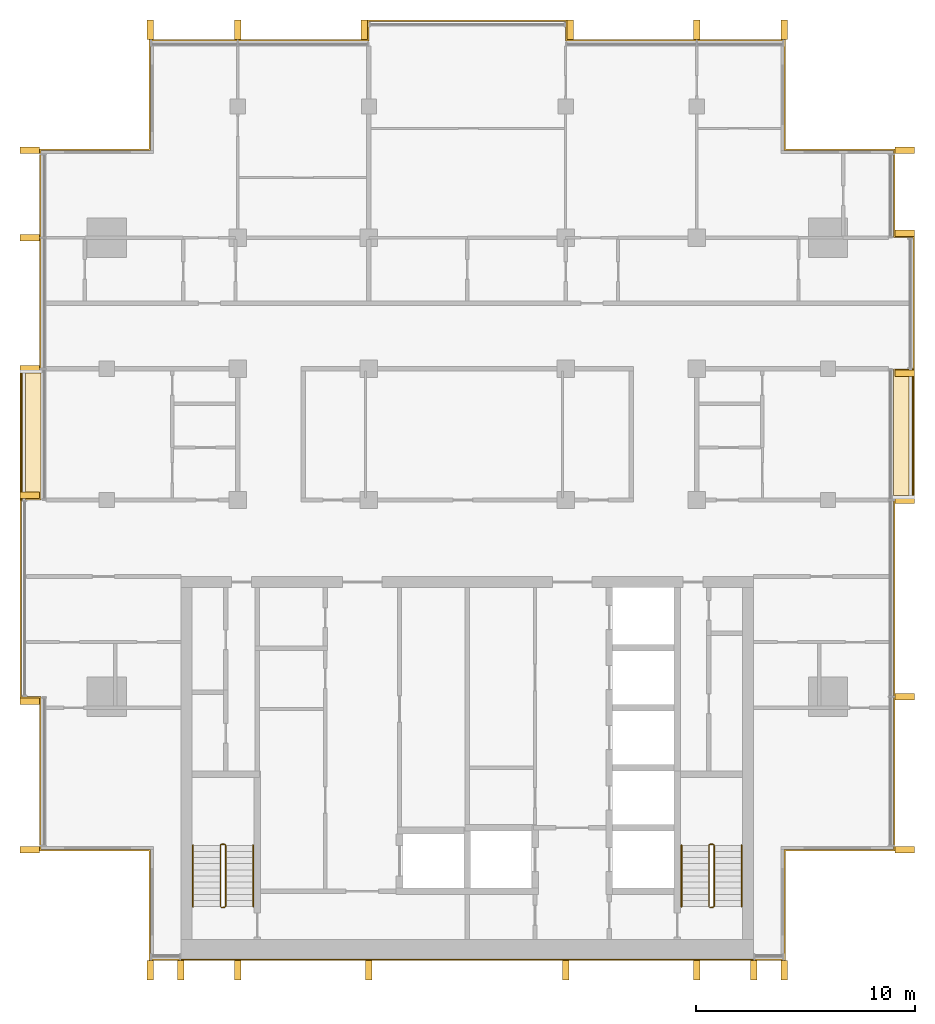
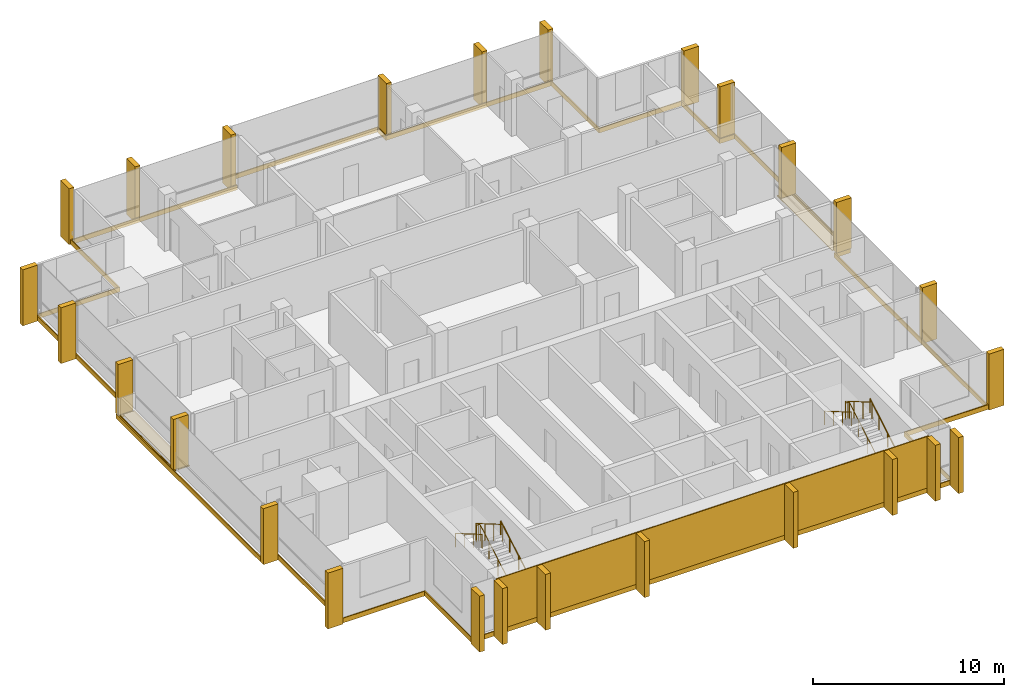
# One storey, part 16 of 16: 26 shading devices, 10 coverings, 6 railings.
"""IFC4 building model written with IfcOpenShell, lengths in metres."""

import ifcopenshell
import ifcopenshell.guid

model = None  # the IFC model being written
_history = None  # IfcOwnerHistory: only IFC2X3 demands one
_inside = {}  # id of a spatial element -> (the spatial element, [elements in it])
_under = {}  # id of a project, library or spatial element -> (it, [spatial elements below it])
_declared = {}  # id of a project -> (the project, [libraries it declares])
_typed = {}  # id of a type object -> (the type object, [elements of that type])
_made_of = {}  # id of a material, layer set ... -> (it, [elements and type objects made of it])


def new_model(schema):
    """Start an empty IFC model of exactly this schema.

    Asked for "IFC4X3", IfcOpenShell would pick the latest addendum, in which some entities
    have other attributes; the version numbers below select the first issue.
    IFC2X3 requires an IfcOwnerHistory on every rooted entity: one is made here for all.
    """
    global model, _history
    if schema == "IFC4X3":
        model = ifcopenshell.file(schema_version=(4, 3, 0, 0))
    else:
        model = ifcopenshell.file(schema=schema)
    _inside.clear()
    _under.clear()
    _declared.clear()
    _typed.clear()
    _made_of.clear()
    _history = None
    if model.schema == "IFC2X3":
        org = make("IfcOrganization", Name="unknown")
        user = make(
            "IfcPersonAndOrganization",
            ThePerson=make("IfcPerson", FamilyName="unknown"),
            TheOrganization=org,
        )
        app = make(
            "IfcApplication",
            ApplicationDeveloper=org,
            Version="unknown",
            ApplicationFullName="unknown",
            ApplicationIdentifier="unknown",
        )
        _history = make(
            "IfcOwnerHistory",
            OwningUser=user,
            OwningApplication=app,
            ChangeAction="ADDED",
            CreationDate=0,
        )
    return model


def make(cls, **values):
    """One entity of the class cls with the attributes given. An attribute that is None is left unset."""
    return model.create_entity(
        cls, **{name: value for name, value in values.items() if value is not None}
    )


def rooted(cls, **values):
    """An entity with a GlobalId (a new one), such as an element, a storey or a relation."""
    return make(cls, GlobalId=ifcopenshell.guid.new(), OwnerHistory=_history, **values)


def si_unit(unit_type, name, prefix=None):
    """IfcSIUnit, for example si_unit("LENGTHUNIT", "METRE", prefix="MILLI")."""
    return make("IfcSIUnit", UnitType=unit_type, Prefix=prefix, Name=name)


def assignment(units):
    """IfcUnitAssignment: the units of a project."""
    return None if units is None else make("IfcUnitAssignment", Units=units)


def point(xyz):
    """IfcCartesianPoint."""
    return None if xyz is None else make("IfcCartesianPoint", Coordinates=xyz)


def direction(xyz):
    """IfcDirection."""
    return None if xyz is None else make("IfcDirection", DirectionRatios=xyz)


def frame(location, z_axis=None, x_axis=None):
    """IfcAxis2Placement3D, a coordinate frame: its origin and axes. An axis left out is left unset."""
    return make(
        "IfcAxis2Placement3D",
        Location=point(location),
        Axis=direction(z_axis),
        RefDirection=direction(x_axis),
    )


def frame_2d(location, x_axis=None):
    """IfcAxis2Placement2D, a coordinate frame in the plane: its origin and x axis."""
    return make(
        "IfcAxis2Placement2D", Location=point(location), RefDirection=direction(x_axis)
    )


def origin():
    """The frame at (0, 0, 0) with its axes left unset."""
    return frame((0.0, 0.0, 0.0))


def origin_2d():
    """The frame at (0, 0) in the plane with its x axis left unset."""
    return frame_2d((0.0, 0.0))


def place(relative_to, where):
    """IfcLocalPlacement: puts the frame where relative to a parent placement (None: the world)."""
    return make(
        "IfcLocalPlacement", PlacementRelTo=relative_to, RelativePlacement=where
    )


def context(
    kind, dimensions, precision=None, world=None, true_north=None, identifier=None
):
    """IfcGeometricRepresentationContext, for example the 3D "Model" context."""
    return make(
        "IfcGeometricRepresentationContext",
        ContextIdentifier=identifier,
        ContextType=kind,
        CoordinateSpaceDimension=dimensions,
        Precision=precision,
        WorldCoordinateSystem=world,
        TrueNorth=true_north,
    )


def subcontext(parent, identifier, kind, view, scale=None):
    """IfcGeometricRepresentationSubContext, for example "Body" below "Model"."""
    return make(
        "IfcGeometricRepresentationSubContext",
        ContextIdentifier=identifier,
        ContextType=kind,
        ParentContext=parent,
        TargetScale=scale,
        TargetView=view,
    )


def project(units=None, contexts=None):
    """IfcProject with its units and contexts."""
    return rooted(
        "IfcProject",
        Name="project",
        RepresentationContexts=contexts,
        UnitsInContext=assignment(units),
    )


def spatial(cls, under=None, at=None, **own):
    """A site, building, storey or space (cls), placed at a placement, below another one or the project."""
    s = rooted(cls, ObjectPlacement=at, **own)
    if under is not None:
        _under.setdefault(under.id(), (under, []))[1].append(s)
    return s


def polyline(points):
    """IfcPolyline through the points."""
    return make("IfcPolyline", Points=[point(p) for p in points])


def profile(cls, at=None, kind="AREA", **sizes):
    """A parametric profile (cls). Its sizes go by their IFC names, for example OverallWidth=200.0."""
    return make(cls, ProfileType=kind, Position=at, **sizes)


def rectangle(**sizes):
    """IfcRectangleProfileDef."""
    return profile("IfcRectangleProfileDef", **sizes)


def circle(**sizes):
    """IfcCircleProfileDef."""
    return profile("IfcCircleProfileDef", **sizes)


def outline(outer, holes=None, kind="AREA"):
    """IfcArbitraryClosedProfileDef: a profile drawn as a closed curve; with holes, ...WithVoids."""
    if holes is None:
        return make("IfcArbitraryClosedProfileDef", ProfileType=kind, OuterCurve=outer)
    return make(
        "IfcArbitraryProfileDefWithVoids",
        ProfileType=kind,
        OuterCurve=outer,
        InnerCurves=holes,
    )


def extrude(swept, where, along, depth):
    """IfcExtrudedAreaSolid: the profile swept, set in the frame where, extruded along a direction by depth."""
    return make(
        "IfcExtrudedAreaSolid",
        SweptArea=swept,
        Position=where,
        ExtrudedDirection=direction(along),
        Depth=depth,
    )


def shape(context_of_items, identifier, shape_type, items):
    """IfcShapeRepresentation: the items that make up one representation, for example the "Body"."""
    return make(
        "IfcShapeRepresentation",
        ContextOfItems=context_of_items,
        RepresentationIdentifier=identifier,
        RepresentationType=shape_type,
        Items=items,
    )


def material(Name=None, Category=None):
    """IfcMaterial."""
    return make("IfcMaterial", Name=Name, Category=Category)


def layer(
    of_material, thickness, ventilated=None, Name=None, Category=None, Priority=None
):
    """IfcMaterialLayer: one layer of a wall or slab, of a material (None: an air gap)."""
    return make(
        "IfcMaterialLayer",
        Material=of_material,
        LayerThickness=thickness,
        IsVentilated=ventilated,
        Name=Name,
        Category=Category,
        Priority=Priority,
    )


def layer_set(layers, Name=None):
    """IfcMaterialLayerSet."""
    return make("IfcMaterialLayerSet", MaterialLayers=layers, LayerSetName=Name)


def made_of(thing, what):
    """Note that an element or type object is made of a material, layer set ...; save() writes the relation."""
    if what is not None:
        _made_of.setdefault(what.id(), (what, []))[1].append(thing)
    return thing


def type_object(cls, material=None, **own):
    """A type object (cls), such as IfcWallType, which elements share."""
    return made_of(rooted(cls, **own), material)


def element(
    cls,
    number,
    at=None,
    inside=None,
    cuts=None,
    type_object=None,
    material=None,
    context=None,
    identifier="Body",
    shape_type=None,
    held_by="IfcProductDefinitionShape",
    body=None,
    shapes=None,
    **own,
):
    """One element of the class cls, such as IfcWall. Its Tag is "e" and its number.

    at: its placement. inside: the storey or other place that contains it. cuts: it is an
    opening in that element (IfcRelVoidsElement). A single representation is given by context,
    identifier, shape_type and body (its items); several are given by shapes. held_by: the class
    of the entity that holds the representations. save() writes the other relations.
    """
    e = rooted(cls, Tag="e%d" % number, ObjectPlacement=at, **own)
    if body is not None:
        shapes = [shape(context, identifier, shape_type, body)]
    if shapes is not None:
        e.Representation = make(held_by, Representations=shapes)
    if inside is not None:
        _inside.setdefault(inside.id(), (inside, []))[1].append(e)
    if cuts is not None:
        rooted(
            "IfcRelVoidsElement", RelatingBuildingElement=cuts, RelatedOpeningElement=e
        )
    if type_object is not None:
        _typed.setdefault(type_object.id(), (type_object, []))[1].append(e)
    return made_of(e, material)


def aggregate(whole, parts):
    """IfcRelAggregates: a whole, such as a stair, and the parts it consists of."""
    return rooted("IfcRelAggregates", RelatingObject=whole, RelatedObjects=parts)


def save(model, path):
    """Write the relations noted so far, then the file.

    IfcRelAggregates (storeys below a building ...), IfcRelContainedInSpatialStructure (elements
    in a storey), IfcRelDefinesByType, IfcRelAssociatesMaterial and IfcRelDeclares: one each for
    every whole, place, type object, material and project.
    """
    for whole, parts in _under.values():
        aggregate(whole, parts)
    for where, things in _inside.values():
        rooted(
            "IfcRelContainedInSpatialStructure",
            RelatedElements=things,
            RelatingStructure=where,
        )
    for kind, things in _typed.values():
        rooted("IfcRelDefinesByType", RelatedObjects=things, RelatingType=kind)
    for what, things in _made_of.values():
        rooted("IfcRelAssociatesMaterial", RelatedObjects=things, RelatingMaterial=what)
    for by, libraries in _declared.values():
        rooted("IfcRelDeclares", RelatingContext=by, RelatedDefinitions=libraries)
    model.write(path)


model = new_model("IFC4")

# Units and contexts
model_context = context("Model", 3, precision=1e-05, world=origin(), true_north=direction((0.0, 1.0)))
body_context = subcontext(model_context, "Body", "Model", "MODEL_VIEW")
ifc_project = project(units=[si_unit("LENGTHUNIT", "METRE"), si_unit("AREAUNIT", "SQUARE_METRE"), si_unit("VOLUMEUNIT", "CUBIC_METRE"), si_unit("PLANEANGLEUNIT", "RADIAN"), si_unit("MASSUNIT", "GRAM", prefix="KILO")], contexts=[model_context])

# Site, building, storey
site_placement = place(None, origin())
site = spatial("IfcSite", under=ifc_project, at=site_placement, CompositionType="ELEMENT")
building_placement = place(site_placement, origin())
building = spatial("IfcBuilding", under=site, at=building_placement, Name="Finial Court Residences", CompositionType="ELEMENT")
storey_placement = place(building_placement, frame((0.0, 0.0, 287.89990234375)))
storey = spatial("IfcBuildingStorey", under=building, at=storey_placement, Name="L73", CompositionType="ELEMENT", Elevation=287.89990234375)

# Coverings
ifc_material_1 = material(Name="Natural limestone", Category="masonry")
ifc_layer_1 = layer(ifc_material_1, 0.06005859375)
ifc_layer_set_1 = layer_set([ifc_layer_1], Name="Limestone cladding to the blind core face 60")
covering_type_1 = type_object("IfcCoveringType", Name="Limestone cladding to the blind core face 60", PredefinedType="CLADDING", material=ifc_layer_set_1)
covering_1_placement = place(storey_placement, origin())
element("IfcCovering", 1, at=covering_1_placement, inside=storey, type_object=covering_type_1, Name="E-L73-CLAD1", PredefinedType="CLADDING", context=body_context, shape_type="SweptSolid", body=[
    extrude(outline(polyline([(-10.5, -25.56005859375), (-10.5, -25.5), (-13.10009765625, -25.5), (-13.10009765625, -25.56005859375), (-10.5, -25.56005859375)])), origin(), (0.0, 0.0, 1.0), 3.300048828125),
])
covering_2_placement = place(storey_placement, origin())
element("IfcCovering", 2, at=covering_2_placement, inside=storey, type_object=covering_type_1, Name="E-L73-CLAD2", PredefinedType="CLADDING", context=body_context, shape_type="SweptSolid", body=[
    extrude(outline(polyline([(-4.5, -25.56005859375), (-4.5, -25.5), (-10.5, -25.5), (-10.5, -25.56005859375), (-4.5, -25.56005859375)])), origin(), (0.0, 0.0, 1.0), 3.300048828125),
])
covering_3_placement = place(storey_placement, origin())
element("IfcCovering", 3, at=covering_3_placement, inside=storey, type_object=covering_type_1, Name="E-L73-CLAD3", PredefinedType="CLADDING", context=body_context, shape_type="SweptSolid", body=[
    extrude(outline(polyline([(4.5, -25.56005859375), (4.5, -25.5), (-4.5, -25.5), (-4.5, -25.56005859375), (4.5, -25.56005859375)])), origin(), (0.0, 0.0, 1.0), 3.300048828125),
])
covering_4_placement = place(storey_placement, origin())
element("IfcCovering", 4, at=covering_4_placement, inside=storey, type_object=covering_type_1, Name="E-L73-CLAD4", PredefinedType="CLADDING", context=body_context, shape_type="SweptSolid", body=[
    extrude(outline(polyline([(10.5, -25.56005859375), (10.5, -25.5), (4.5, -25.5), (4.5, -25.56005859375), (10.5, -25.56005859375)])), origin(), (0.0, 0.0, 1.0), 3.300048828125),
])
covering_5_placement = place(storey_placement, origin())
element("IfcCovering", 5, at=covering_5_placement, inside=storey, type_object=covering_type_1, Name="E-L73-CLAD5", PredefinedType="CLADDING", context=body_context, shape_type="SweptSolid", body=[
    extrude(outline(polyline([(13.10009765625, -25.56005859375), (13.10009765625, -25.5), (10.5, -25.5), (10.5, -25.56005859375), (13.10009765625, -25.56005859375)])), origin(), (0.0, 0.0, 1.0), 3.300048828125),
])

# Shading devices
shading_device_type = type_object("IfcShadingDeviceType", Name="Limestone fin 300 x 900", PredefinedType="USERDEFINED", material=ifc_material_1)
for number, where, z_axis, x_axis, name in (
    (6, (-14.5, 17.010009765625, -0.300048828125), (0.0, 0.0, 1.0), (1.0, 0.0, 0.0), "E-L73-FIN-N1"),
    (7, (-10.5, 17.010009765625, -0.300048828125), (0.0, 0.0, 1.0), (1.0, 0.0, 0.0), "E-L73-FIN-N2"),
    (8, (-4.7099609375, 17.010009765625, -0.300048828125), (0.0, 0.0, 1.0), (1.0, 0.0, 0.0), "E-L73-FIN-N3"),
    (9, (4.7099609375, 17.010009765625, -0.300048828125), (0.0, 0.0, 1.0), (1.0, 0.0, 0.0), "E-L73-FIN-N4"),
    (10, (10.5, 17.010009765625, -0.300048828125), (0.0, 0.0, 1.0), (1.0, 0.0, 0.0), "E-L73-FIN-N5"),
    (11, (14.5, 17.010009765625, -0.300048828125), (0.0, 0.0, 1.0), (1.0, 0.0, 0.0), "E-L73-FIN-N6"),
):
    element("IfcShadingDevice", number, at=place(storey_placement, frame(where, z_axis=z_axis, x_axis=x_axis)), inside=storey, type_object=shading_device_type, Name=name, ObjectType="FIN", PredefinedType="USERDEFINED", context=body_context, shape_type="SweptSolid", body=[
        extrude(rectangle(XDim=0.300048828125, YDim=0.89990234375, at=origin_2d()), origin(), (0.0, 0.0, 1.0), 3.580078125),
    ])
for number, where, z_axis, x_axis, name in (
    (12, (20.010009765625, -20.5, -0.300048828125), (0.0, 0.0, 1.0), (1.0, 0.0, 0.0), "E-L73-FIN-E7"),
    (13, (20.010009765625, -13.5, -0.300048828125), (0.0, 0.0, 1.0), (1.0, 0.0, 0.0), "E-L73-FIN-E8"),
):
    element("IfcShadingDevice", number, at=place(storey_placement, frame(where, z_axis=z_axis, x_axis=x_axis)), inside=storey, type_object=shading_device_type, Name=name, ObjectType="FIN", PredefinedType="USERDEFINED", context=body_context, shape_type="SweptSolid", body=[
        extrude(rectangle(XDim=0.89990234375, YDim=0.300048828125, at=origin_2d()), origin(), (0.0, 0.0, 1.0), 3.580078125),
    ])
for number, where, z_axis, x_axis, name in (
    (14, (20.010009765625, -4.5, 0.0400390625), (0.0, 0.0, 1.0), (1.0, 0.0, 0.0), "E-L73-FIN-E9"),
    (15, (20.010009765625, 1.2900390625, 0.0400390625), (0.0, 0.0, 1.0), (1.0, 0.0, 0.0), "E-L73-FIN-E10"),
):
    element("IfcShadingDevice", number, at=place(storey_placement, frame(where, z_axis=z_axis, x_axis=x_axis)), inside=storey, type_object=shading_device_type, Name=name, ObjectType="FIN", PredefinedType="USERDEFINED", context=body_context, shape_type="SweptSolid", body=[
        extrude(rectangle(XDim=0.89990234375, YDim=0.300048828125, at=origin_2d()), origin(), (0.0, 0.0, 1.0), 3.239990234375),
    ])
for number, where, z_axis, x_axis, name in (
    (16, (20.010009765625, 7.7099609375, -0.300048828125), (0.0, 0.0, 1.0), (1.0, 0.0, 0.0), "E-L73-FIN-E11"),
    (17, (20.010009765625, 11.5, -0.300048828125), (0.0, 0.0, 1.0), (1.0, 0.0, 0.0), "E-L73-FIN-E12"),
):
    element("IfcShadingDevice", number, at=place(storey_placement, frame(where, z_axis=z_axis, x_axis=x_axis)), inside=storey, type_object=shading_device_type, Name=name, ObjectType="FIN", PredefinedType="USERDEFINED", context=body_context, shape_type="SweptSolid", body=[
        extrude(rectangle(XDim=0.89990234375, YDim=0.300048828125, at=origin_2d()), origin(), (0.0, 0.0, 1.0), 3.580078125),
    ])
for number, where, z_axis, x_axis, name in (
    (18, (-14.5, -26.010009765625, -0.300048828125), (0.0, 0.0, 1.0), (1.0, 0.0, 0.0), "E-L73-FIN-S13"),
    (19, (-13.10009765625, -26.010009765625, -0.300048828125), (0.0, 0.0, 1.0), (1.0, 0.0, 0.0), "E-L73-FIN-S14"),
    (20, (-10.5, -26.010009765625, -0.300048828125), (0.0, 0.0, 1.0), (1.0, 0.0, 0.0), "E-L73-FIN-S15"),
    (21, (-4.5, -26.010009765625, -0.300048828125), (0.0, 0.0, 1.0), (1.0, 0.0, 0.0), "E-L73-FIN-S16"),
    (22, (4.5, -26.010009765625, -0.300048828125), (0.0, 0.0, 1.0), (1.0, 0.0, 0.0), "E-L73-FIN-S17"),
    (23, (10.5, -26.010009765625, -0.300048828125), (0.0, 0.0, 1.0), (1.0, 0.0, 0.0), "E-L73-FIN-S18"),
    (24, (13.10009765625, -26.010009765625, -0.300048828125), (0.0, 0.0, 1.0), (1.0, 0.0, 0.0), "E-L73-FIN-S19"),
    (25, (14.5, -26.010009765625, -0.300048828125), (0.0, 0.0, 1.0), (1.0, 0.0, 0.0), "E-L73-FIN-S20"),
):
    element("IfcShadingDevice", number, at=place(storey_placement, frame(where, z_axis=z_axis, x_axis=x_axis)), inside=storey, type_object=shading_device_type, Name=name, ObjectType="FIN", PredefinedType="USERDEFINED", context=body_context, shape_type="SweptSolid", body=[
        extrude(rectangle(XDim=0.300048828125, YDim=0.89990234375, at=origin_2d()), origin(), (0.0, 0.0, 1.0), 3.580078125),
    ])
for number, where, z_axis, x_axis, name in (
    (26, (-20.010009765625, -20.5, -0.300048828125), (0.0, 0.0, 1.0), (1.0, 0.0, 0.0), "E-L73-FIN-W21"),
    (27, (-20.010009765625, -13.7099609375, -0.300048828125), (0.0, 0.0, 1.0), (1.0, 0.0, 0.0), "E-L73-FIN-W22"),
):
    element("IfcShadingDevice", number, at=place(storey_placement, frame(where, z_axis=z_axis, x_axis=x_axis)), inside=storey, type_object=shading_device_type, Name=name, ObjectType="FIN", PredefinedType="USERDEFINED", context=body_context, shape_type="SweptSolid", body=[
        extrude(rectangle(XDim=0.89990234375, YDim=0.300048828125, at=origin_2d()), origin(), (0.0, 0.0, 1.0), 3.580078125),
    ])
for number, where, z_axis, x_axis, name in (
    (28, (-20.010009765625, -4.2900390625, 0.0400390625), (0.0, 0.0, 1.0), (1.0, 0.0, 0.0), "E-L73-FIN-W23"),
    (29, (-20.010009765625, 1.5, 0.0400390625), (0.0, 0.0, 1.0), (1.0, 0.0, 0.0), "E-L73-FIN-W24"),
):
    element("IfcShadingDevice", number, at=place(storey_placement, frame(where, z_axis=z_axis, x_axis=x_axis)), inside=storey, type_object=shading_device_type, Name=name, ObjectType="FIN", PredefinedType="USERDEFINED", context=body_context, shape_type="SweptSolid", body=[
        extrude(rectangle(XDim=0.89990234375, YDim=0.300048828125, at=origin_2d()), origin(), (0.0, 0.0, 1.0), 3.239990234375),
    ])
for number, where, z_axis, x_axis, name in (
    (30, (-20.010009765625, 7.5, -0.300048828125), (0.0, 0.0, 1.0), (1.0, 0.0, 0.0), "E-L73-FIN-W25"),
    (31, (-20.010009765625, 11.5, -0.300048828125), (0.0, 0.0, 1.0), (1.0, 0.0, 0.0), "E-L73-FIN-W26"),
):
    element("IfcShadingDevice", number, at=place(storey_placement, frame(where, z_axis=z_axis, x_axis=x_axis)), inside=storey, type_object=shading_device_type, Name=name, ObjectType="FIN", PredefinedType="USERDEFINED", context=body_context, shape_type="SweptSolid", body=[
        extrude(rectangle(XDim=0.89990234375, YDim=0.300048828125, at=origin_2d()), origin(), (0.0, 0.0, 1.0), 3.580078125),
    ])

# Coverings
ifc_material_2 = material(Name="Pale limestone", Category="masonry")
ifc_layer_2 = layer(ifc_material_2, 0.06005859375)
ifc_layer_set_2 = layer_set([ifc_layer_2], Name="Pale limestone slab-edge band 60")
covering_type_2 = type_object("IfcCoveringType", Name="Pale limestone slab-edge band 60", PredefinedType="CLADDING", material=ifc_layer_set_2)
covering_6_placement = place(storey_placement, frame((0.0, 0.0, -0.2998046875)))
element("IfcCovering", 32, at=covering_6_placement, inside=storey, type_object=covering_type_2, Name="E-L73-BAND1", PredefinedType="CLADDING", context=body_context, shape_type="SweptSolid", body=[
    extrude(outline(polyline([(-14.56005859375, 11.56005859375), (-14.56005859375, 16.56005859375), (-4.56005859375, 16.56005859375), (-4.56005859375, 17.4599609375), (4.56005859375, 17.4599609375), (4.56005859375, 16.56005859375), (14.56005859375, 16.56005859375), (14.56005859375, 11.56005859375), (19.56005859375, 11.56005859375), (19.56005859375, 7.56005859375), (20.4599609375, 7.56005859375), (20.4599609375, -4.56005859375), (19.56005859375, -4.56005859375), (19.56005859375, -20.56005859375), (14.56005859375, -20.56005859375), (14.56005859375, -25.56005859375), (-14.56005859375, -25.56005859375), (-14.56005859375, -20.56005859375), (-19.56005859375, -20.56005859375), (-19.56005859375, -13.56005859375), (-20.4599609375, -13.56005859375), (-20.4599609375, 1.56005859375), (-19.56005859375, 1.56005859375), (-19.56005859375, 11.56005859375), (-14.56005859375, 11.56005859375)]), holes=[polyline([(-19.5, 1.5), (-20.39990234375, 1.5), (-20.39990234375, -4.5), (-20.39990234375, -13.5), (-19.5, -13.5), (-19.5, -20.5), (-14.5, -20.5), (-14.5, -25.5), (14.5, -25.5), (14.5, -20.5), (19.5, -20.5), (19.5, -4.5), (20.39990234375, -4.5), (20.39990234375, 1.5), (20.39990234375, 7.5), (19.5, 7.5), (19.5, 11.5), (14.5, 11.5), (14.5, 16.5), (4.5, 16.5), (4.5, 17.39990234375), (-4.5, 17.39990234375), (-4.5, 16.5), (-14.5, 16.5), (-14.5, 11.5), (-19.5, 11.5), (-19.5, 1.5)])]), origin(), (0.0, 0.0, 1.0), 0.2998046875),
])
ifc_material_3 = material(Name="Bitumen membrane")
ifc_layer_3 = layer(ifc_material_3, 0.0400390625)
ifc_layer_set_3 = layer_set([ifc_layer_3], Name="Push box roofing, bitumen membrane 40")
covering_type_3 = type_object("IfcCoveringType", Name="Push box roofing, bitumen membrane 40", PredefinedType="ROOFING", material=ifc_layer_set_3)
covering_7_placement = place(storey_placement, origin())
element("IfcCovering", 33, at=covering_7_placement, inside=storey, type_object=covering_type_3, Name="E-L73-LED1c", PredefinedType="ROOFING", context=body_context, shape_type="SweptSolid", body=[
    extrude(outline(polyline([(-19.5, -4.5), (-20.199951171875, -4.5), (-20.199951171875, 1.300048828125), (-19.5, 1.300048828125), (-19.5, -4.5)])), origin(), (0.0, 0.0, 1.0), 0.0400390625),
])
covering_8_placement = place(storey_placement, origin())
element("IfcCovering", 34, at=covering_8_placement, inside=storey, type_object=covering_type_3, Name="E-L73-LED1d", PredefinedType="ROOFING", context=body_context, shape_type="SweptSolid", body=[
    extrude(outline(polyline([(-20.39990234375, -4.5), (-20.39990234375, 1.300048828125), (-20.35009765625, 1.300048828125), (-20.35009765625, -4.5), (-20.39990234375, -4.5)])), origin(), (0.0, 0.0, 1.0), 0.0400390625),
])
covering_9_placement = place(storey_placement, origin())
element("IfcCovering", 35, at=covering_9_placement, inside=storey, type_object=covering_type_3, Name="E-L73-LED2c", PredefinedType="ROOFING", context=body_context, shape_type="SweptSolid", body=[
    extrude(outline(polyline([(19.5, 1.5), (20.199951171875, 1.5), (20.199951171875, -4.300048828125), (19.5, -4.300048828125), (19.5, 1.5)])), origin(), (0.0, 0.0, 1.0), 0.0400390625),
])
covering_10_placement = place(storey_placement, origin())
element("IfcCovering", 36, at=covering_10_placement, inside=storey, type_object=covering_type_3, Name="E-L73-LED2d", PredefinedType="ROOFING", context=body_context, shape_type="SweptSolid", body=[
    extrude(outline(polyline([(20.39990234375, 1.5), (20.39990234375, -4.300048828125), (20.35009765625, -4.300048828125), (20.35009765625, 1.5), (20.39990234375, 1.5)])), origin(), (0.0, 0.0, 1.0), 0.0400390625),
])

# Railings
ifc_material_4 = material(Name="Stainless steel railing", Category="steel")
railing_type_1 = type_object("IfcRailingType", Name="Stair guard 1100", PredefinedType="GUARDRAIL", material=ifc_material_4)
railing_1_placement = place(storey_placement, frame((-11.10009765625, -23.14990234375, 0.0)))
element("IfcRailing", 37, at=railing_1_placement, inside=storey, type_object=railing_type_1, Name="L73 ST-1 stair guard 1", PredefinedType="GUARDRAIL", context=body_context, shape_type="SweptSolid", body=[
    extrude(circle(Radius=0.02392578125, at=origin_2d()), frame((0.0, 0.0, 1.076171875), z_axis=(-1.0, 0.0, 0.0), x_axis=(0.0, -1.0, 0.0)), (0.0, 0.0, 1.0), 0.14990234375),
    extrude(circle(Radius=0.02392578125, at=origin_2d()), frame((-0.14990234375, 0.0, 1.076171875), z_axis=(0.759565762229, 0.189195867515, 0.622306015208), x_axis=(-0.241699205484, 0.970351222016, 0.0)), (0.0, 0.0, 1.0), 0.26318359375),
    extrude(circle(Radius=0.02392578125, at=origin_2d()), frame((0.050048828125, 0.0498046875, 1.23974609375), z_axis=(0.0, 0.863393664356, 0.504530851732), x_axis=(-1.0, 0.0, 0.0)), (0.0, 0.0, 1.0), 3.2431640625),
    extrude(circle(Radius=0.02392578125, at=origin_2d()), frame((0.050048828125, 2.849853515625, 2.8759765625), z_axis=(-0.707106781187, 0.707106781187, 0.0), x_axis=(-0.707106781187, -0.707106781187, 0.0)), (0.0, 0.0, 1.0), 0.07080078125),
    extrude(circle(Radius=0.02392578125, at=origin_2d()), frame((0.0, 2.89990234375, 2.8759765625), z_axis=(-1.0, 0.0, 0.0), x_axis=(0.0, -1.0, 0.0)), (0.0, 0.0, 1.0), 0.14990234375),
    extrude(circle(Radius=0.02392578125, at=origin_2d()), frame((-0.14990234375, 2.89990234375, 2.8759765625), z_axis=(-0.280808744504, -0.280808744504, 0.917765164963), x_axis=(0.707106781187, -0.707106781187, 0.0)), (0.0, 0.0, 1.0), 0.17822265625),
    extrude(circle(Radius=0.02392578125, at=origin_2d()), frame((-0.199951171875, 2.849853515625, 3.03955078125), z_axis=(0.0, -0.863360870873, 0.504586966384), x_axis=(1.0, 0.0, 0.0)), (0.0, 0.0, 1.0), 3.2431640625),
    extrude(circle(Radius=0.02099609375, at=origin_2d()), origin(), (0.0, 0.0, 1.0), 1.052001953125),
    extrude(circle(Radius=0.02099609375, at=origin_2d()), frame((-0.14990234375, 0.0, 0.0)), (0.0, 0.0, 1.0), 1.052001953125),
    extrude(circle(Radius=0.02099609375, at=origin_2d()), frame((0.050048828125, 0.0498046875, 0.163818359375)), (0.0, 0.0, 1.0), 1.052001953125),
    extrude(circle(Radius=0.02099609375, at=origin_2d()), frame((0.050048828125, 0.983154296875, 0.709228515625)), (0.0, 0.0, 1.0), 1.052001953125),
    extrude(circle(Radius=0.02099609375, at=origin_2d()), frame((0.050048828125, 1.91650390625, 1.254638671875)), (0.0, 0.0, 1.0), 1.052001953125),
    extrude(circle(Radius=0.02099609375, at=origin_2d()), frame((0.050048828125, 2.849853515625, 1.800048828125)), (0.0, 0.0, 1.0), 1.052001953125),
    extrude(circle(Radius=0.02099609375, at=origin_2d()), frame((0.0, 2.89990234375, 1.800048828125)), (0.0, 0.0, 1.0), 1.052001953125),
    extrude(circle(Radius=0.02099609375, at=origin_2d()), frame((-0.14990234375, 2.89990234375, 1.800048828125)), (0.0, 0.0, 1.0), 1.052001953125),
    extrude(circle(Radius=0.02099609375, at=origin_2d()), frame((-0.199951171875, 2.849853515625, 1.963623046875)), (0.0, 0.0, 1.0), 1.052001953125),
    extrude(circle(Radius=0.02099609375, at=origin_2d()), frame((-0.199951171875, 1.91650390625, 2.509033203125)), (0.0, 0.0, 1.0), 1.052001953125),
    extrude(circle(Radius=0.02099609375, at=origin_2d()), frame((-0.199951171875, 0.983154296875, 3.0546875)), (0.0, 0.0, 1.0), 1.052001953125),
    extrude(circle(Radius=0.02099609375, at=origin_2d()), frame((-0.199951171875, 0.0498046875, 3.60009765625)), (0.0, 0.0, 1.0), 1.052001953125),
])
railing_2_placement = place(storey_placement, frame((11.25, -23.14990234375, 0.0)))
element("IfcRailing", 38, at=railing_2_placement, inside=storey, type_object=railing_type_1, Name="L73 ST-2 stair guard 1", PredefinedType="GUARDRAIL", context=body_context, shape_type="SweptSolid", body=[
    extrude(circle(Radius=0.02392578125, at=origin_2d()), frame((0.0, 0.0, 1.076171875), z_axis=(-1.0, 0.0, 0.0), x_axis=(0.0, -1.0, 0.0)), (0.0, 0.0, 1.0), 0.14990234375),
    extrude(circle(Radius=0.02392578125, at=origin_2d()), frame((-0.14990234375, 0.0, 1.076171875), z_axis=(0.759565762229, 0.189195867515, 0.622306015208), x_axis=(-0.241699205484, 0.970351222016, 0.0)), (0.0, 0.0, 1.0), 0.26318359375),
    extrude(circle(Radius=0.02392578125, at=origin_2d()), frame((0.050048828125, 0.0498046875, 1.23974609375), z_axis=(0.0, 0.863393664356, 0.504530851732), x_axis=(-1.0, 0.0, 0.0)), (0.0, 0.0, 1.0), 3.2431640625),
    extrude(circle(Radius=0.02392578125, at=origin_2d()), frame((0.050048828125, 2.849853515625, 2.8759765625), z_axis=(-0.707106781187, 0.707106781187, 0.0), x_axis=(-0.707106781187, -0.707106781187, 0.0)), (0.0, 0.0, 1.0), 0.07080078125),
    extrude(circle(Radius=0.02392578125, at=origin_2d()), frame((0.0, 2.89990234375, 2.8759765625), z_axis=(-1.0, 0.0, 0.0), x_axis=(0.0, -1.0, 0.0)), (0.0, 0.0, 1.0), 0.14990234375),
    extrude(circle(Radius=0.02392578125, at=origin_2d()), frame((-0.14990234375, 2.89990234375, 2.8759765625), z_axis=(-0.280808744504, -0.280808744504, 0.917765164963), x_axis=(0.707106781187, -0.707106781187, 0.0)), (0.0, 0.0, 1.0), 0.17822265625),
    extrude(circle(Radius=0.02392578125, at=origin_2d()), frame((-0.199951171875, 2.849853515625, 3.03955078125), z_axis=(0.0, -0.863360870873, 0.504586966384), x_axis=(1.0, 0.0, 0.0)), (0.0, 0.0, 1.0), 3.2431640625),
    extrude(circle(Radius=0.02099609375, at=origin_2d()), origin(), (0.0, 0.0, 1.0), 1.052001953125),
    extrude(circle(Radius=0.02099609375, at=origin_2d()), frame((-0.14990234375, 0.0, 0.0)), (0.0, 0.0, 1.0), 1.052001953125),
    extrude(circle(Radius=0.02099609375, at=origin_2d()), frame((0.050048828125, 0.0498046875, 0.163818359375)), (0.0, 0.0, 1.0), 1.052001953125),
    extrude(circle(Radius=0.02099609375, at=origin_2d()), frame((0.050048828125, 0.983154296875, 0.709228515625)), (0.0, 0.0, 1.0), 1.052001953125),
    extrude(circle(Radius=0.02099609375, at=origin_2d()), frame((0.050048828125, 1.91650390625, 1.254638671875)), (0.0, 0.0, 1.0), 1.052001953125),
    extrude(circle(Radius=0.02099609375, at=origin_2d()), frame((0.050048828125, 2.849853515625, 1.800048828125)), (0.0, 0.0, 1.0), 1.052001953125),
    extrude(circle(Radius=0.02099609375, at=origin_2d()), frame((0.0, 2.89990234375, 1.800048828125)), (0.0, 0.0, 1.0), 1.052001953125),
    extrude(circle(Radius=0.02099609375, at=origin_2d()), frame((-0.14990234375, 2.89990234375, 1.800048828125)), (0.0, 0.0, 1.0), 1.052001953125),
    extrude(circle(Radius=0.02099609375, at=origin_2d()), frame((-0.199951171875, 2.849853515625, 1.963623046875)), (0.0, 0.0, 1.0), 1.052001953125),
    extrude(circle(Radius=0.02099609375, at=origin_2d()), frame((-0.199951171875, 1.91650390625, 2.509033203125)), (0.0, 0.0, 1.0), 1.052001953125),
    extrude(circle(Radius=0.02099609375, at=origin_2d()), frame((-0.199951171875, 0.983154296875, 3.0546875)), (0.0, 0.0, 1.0), 1.052001953125),
    extrude(circle(Radius=0.02099609375, at=origin_2d()), frame((-0.199951171875, 0.0498046875, 3.60009765625)), (0.0, 0.0, 1.0), 1.052001953125),
])
railing_type_2 = type_object("IfcRailingType", Name="Stair handrail 900", PredefinedType="HANDRAIL", material=ifc_material_4)
railing_3_placement = place(storey_placement, frame((-9.800048828125, -23.10009765625, 0.163818359375)))
element("IfcRailing", 39, at=railing_3_placement, inside=storey, type_object=railing_type_2, Name="L73 ST-1 stair handrail 1", PredefinedType="HANDRAIL", context=body_context, shape_type="SweptSolid", body=[
    extrude(circle(Radius=0.02392578125, at=origin_2d()), frame((0.0, 0.0, 0.8759765625), z_axis=(0.0, 0.863393664356, 0.504530851732), x_axis=(-1.0, 0.0, 0.0)), (0.0, 0.0, 1.0), 3.2431640625),
    extrude(circle(Radius=0.02099609375, at=origin_2d()), origin(), (0.0, 0.0, 1.0), 0.851806640625),
    extrude(circle(Radius=0.02099609375, at=origin_2d()), frame((0.0, 0.933349609375, 0.54541015625)), (0.0, 0.0, 1.0), 0.851806640625),
    extrude(circle(Radius=0.02099609375, at=origin_2d()), frame((0.0, 1.86669921875, 1.0908203125)), (0.0, 0.0, 1.0), 0.851806640625),
    extrude(circle(Radius=0.02099609375, at=origin_2d()), frame((0.0, 2.800048828125, 1.63623046875)), (0.0, 0.0, 1.0), 0.851806640625),
])
railing_4_placement = place(storey_placement, frame((-12.550048828125, -20.300048828125, 1.963623046875)))
element("IfcRailing", 40, at=railing_4_placement, inside=storey, type_object=railing_type_2, Name="L73 ST-1 stair handrail 2", PredefinedType="HANDRAIL", context=body_context, shape_type="SweptSolid", body=[
    extrude(circle(Radius=0.02392578125, at=origin_2d()), frame((0.0, 0.0, 0.8759765625), z_axis=(0.0, -0.863360870873, 0.504586966384), x_axis=(1.0, 0.0, 0.0)), (0.0, 0.0, 1.0), 3.2431640625),
    extrude(circle(Radius=0.02099609375, at=origin_2d()), origin(), (0.0, 0.0, 1.0), 0.851806640625),
    extrude(circle(Radius=0.02099609375, at=origin_2d()), frame((0.0, -0.933349609375, 0.54541015625)), (0.0, 0.0, 1.0), 0.851806640625),
    extrude(circle(Radius=0.02099609375, at=origin_2d()), frame((0.0, -1.86669921875, 1.091064453125)), (0.0, 0.0, 1.0), 0.851806640625),
    extrude(circle(Radius=0.02099609375, at=origin_2d()), frame((0.0, -2.800048828125, 1.636474609375)), (0.0, 0.0, 1.0), 0.851806640625),
])
railing_5_placement = place(storey_placement, frame((12.550048828125, -23.10009765625, 0.163818359375)))
element("IfcRailing", 41, at=railing_5_placement, inside=storey, type_object=railing_type_2, Name="L73 ST-2 stair handrail 1", PredefinedType="HANDRAIL", context=body_context, shape_type="SweptSolid", body=[
    extrude(circle(Radius=0.02392578125, at=origin_2d()), frame((0.0, 0.0, 0.8759765625), z_axis=(0.0, 0.863393664356, 0.504530851732), x_axis=(-1.0, 0.0, 0.0)), (0.0, 0.0, 1.0), 3.2431640625),
    extrude(circle(Radius=0.02099609375, at=origin_2d()), origin(), (0.0, 0.0, 1.0), 0.851806640625),
    extrude(circle(Radius=0.02099609375, at=origin_2d()), frame((0.0, 0.933349609375, 0.54541015625)), (0.0, 0.0, 1.0), 0.851806640625),
    extrude(circle(Radius=0.02099609375, at=origin_2d()), frame((0.0, 1.86669921875, 1.0908203125)), (0.0, 0.0, 1.0), 0.851806640625),
    extrude(circle(Radius=0.02099609375, at=origin_2d()), frame((0.0, 2.800048828125, 1.63623046875)), (0.0, 0.0, 1.0), 0.851806640625),
])
railing_6_placement = place(storey_placement, frame((9.800048828125, -20.300048828125, 1.963623046875)))
element("IfcRailing", 42, at=railing_6_placement, inside=storey, type_object=railing_type_2, Name="L73 ST-2 stair handrail 2", PredefinedType="HANDRAIL", context=body_context, shape_type="SweptSolid", body=[
    extrude(circle(Radius=0.02392578125, at=origin_2d()), frame((0.0, 0.0, 0.8759765625), z_axis=(0.0, -0.863360870873, 0.504586966384), x_axis=(1.0, 0.0, 0.0)), (0.0, 0.0, 1.0), 3.2431640625),
    extrude(circle(Radius=0.02099609375, at=origin_2d()), origin(), (0.0, 0.0, 1.0), 0.851806640625),
    extrude(circle(Radius=0.02099609375, at=origin_2d()), frame((0.0, -0.933349609375, 0.54541015625)), (0.0, 0.0, 1.0), 0.851806640625),
    extrude(circle(Radius=0.02099609375, at=origin_2d()), frame((0.0, -1.86669921875, 1.091064453125)), (0.0, 0.0, 1.0), 0.851806640625),
    extrude(circle(Radius=0.02099609375, at=origin_2d()), frame((0.0, -2.800048828125, 1.636474609375)), (0.0, 0.0, 1.0), 0.851806640625),
])

save(model, "model.ifc")
